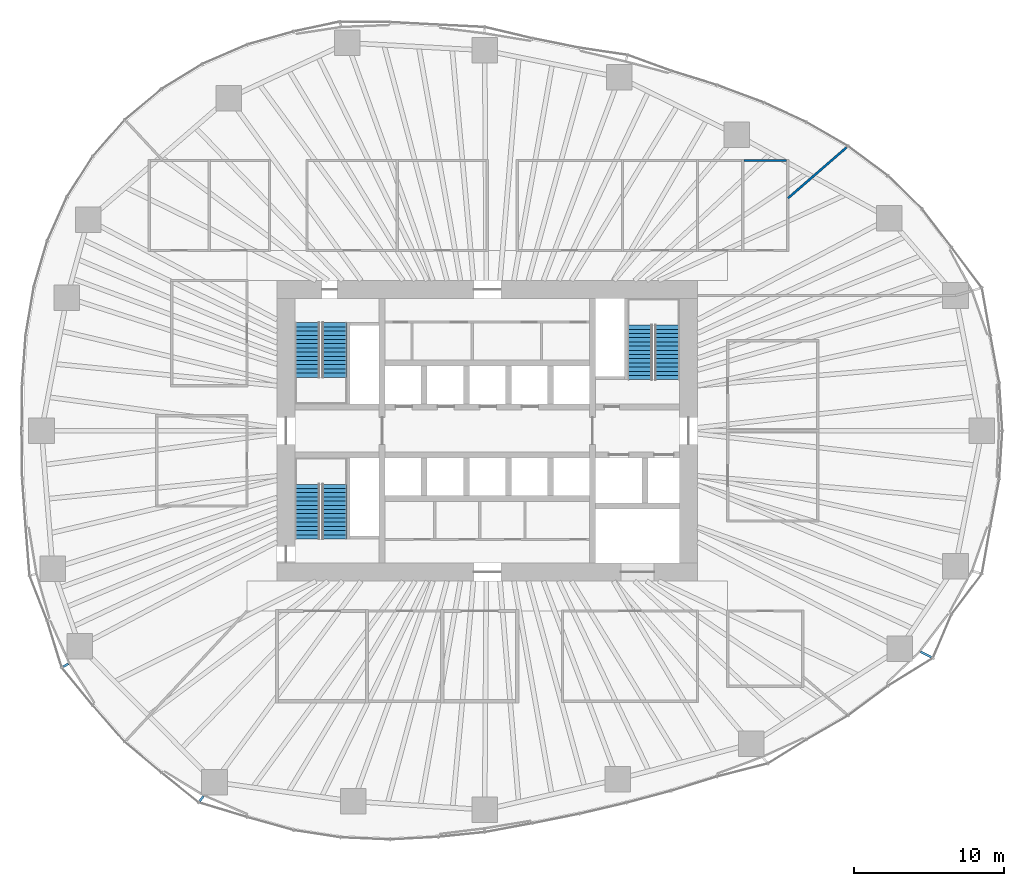
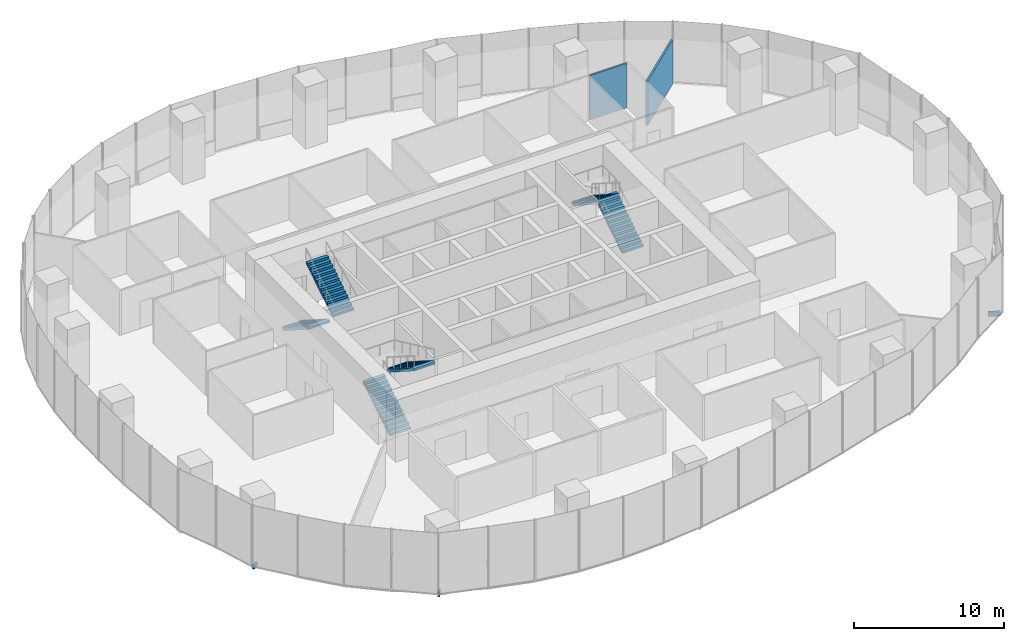
# One storey, part 12 of 19: 6 stair flights, 3 discrete accessories, 2 walls, 3 elements without a shape of their own.
"""IFC4 building model written with IfcOpenShell, lengths in metres."""

from ifc_helpers import new_model, si_unit, direction, frame, frame_2d, origin, origin_2d, place, context, subcontext, project, spatial, polyline, rectangle, outline, extrude, material, layer, layer_set, type_object, element, aggregate, save


model = new_model("IFC4")

# Units and contexts
model_context = context("Model", 3, precision=1e-05, world=origin(), true_north=direction((0.0, 1.0)))
body_context = subcontext(model_context, "Body", "Model", "MODEL_VIEW")
ifc_project = project(units=[si_unit("LENGTHUNIT", "METRE"), si_unit("AREAUNIT", "SQUARE_METRE"), si_unit("VOLUMEUNIT", "CUBIC_METRE"), si_unit("PLANEANGLEUNIT", "RADIAN"), si_unit("MASSUNIT", "GRAM", prefix="KILO")], contexts=[model_context])

# Site, building, storey
site_placement = place(None, origin())
site = spatial("IfcSite", under=ifc_project, at=site_placement, CompositionType="ELEMENT")
building_placement = place(site_placement, origin())
building = spatial("IfcBuilding", under=site, at=building_placement, Name="Ghaith Harvest Tower", CompositionType="ELEMENT")
storey_placement = place(building_placement, frame((0.0, 0.0, 70.0)))
storey = spatial("IfcBuildingStorey", under=building, at=storey_placement, Name="L14", CompositionType="ELEMENT", Elevation=70.0)

# Walls
ifc_material_1 = material(Name="Gypsum board on steel studs", Category="steel")
ifc_layer = layer(ifc_material_1, 0.14990234375)
ifc_layer_set = layer_set([ifc_layer], Name="PARTITION 150")
wall_type = type_object("IfcWallType", Name="PARTITION 150", PredefinedType="PARTITIONING", material=ifc_layer_set)
wall_1_placement = place(storey_placement, frame((17.074951171875, 18.0, 0.0), z_axis=(0.0, 0.0, 1.0), x_axis=(1.0, 0.0, 0.0)))
element("IfcWall", 1, at=wall_1_placement, inside=storey, type_object=wall_type, Name="Partition L14-13", PredefinedType="PARTITIONING", context=body_context, shape_type="SweptSolid", body=[
    extrude(rectangle(XDim=2.85009765625, YDim=0.14990234375, at=frame_2d((1.425048828125, 0.0))), origin(), (0.0, 0.0, 1.0), 3.60009765625),
])
wall_2_placement = place(storey_placement, frame((20.02001953125, 15.48681640625, 0.0), z_axis=(0.0, 0.0, 1.0), x_axis=(0.755443308786, 0.655214016342, 0.0)))
element("IfcWall", 2, at=wall_2_placement, inside=storey, type_object=wall_type, Name="Partition L14 zone division", PredefinedType="PARTITIONING", context=body_context, shape_type="SweptSolid", body=[
    extrude(rectangle(XDim=5.14697265625, YDim=0.14990234375, at=frame_2d((2.573486328125, 0.0))), origin(), (0.0, 0.0, 1.0), 3.60009765625),
])

# Stair, stair flights
ifc_material_2 = material(Name="Concrete C40/50, precast", Category="concrete")
stair_type = type_object("IfcStairType", Name="CORE STAIR 28R", PredefinedType="HALF_TURN_STAIR", material=ifc_material_2)
stair_1_placement = place(storey_placement, origin())
stair_1 = element("IfcStair", 3, at=stair_1_placement, inside=storey, type_object=stair_type, Name="Stair ST1 L14", PredefinedType="HALF_TURN_STAIR")
ifc_material_3 = material(Name="Concrete C40/50, precast", Category="concrete")
stair_flight_type = type_object("IfcStairFlightType", Name="CORE FLIGHT 14R 1600", PredefinedType="STRAIGHT", material=ifc_material_3)
stair_flight_1_placement = place(storey_placement, frame((-12.0, 7.199951171875, 0.0), z_axis=(0.0, 0.0, 1.0), x_axis=(0.0, -1.0, 0.0)))
stair_flight_1 = element("IfcStairFlight", 4, at=stair_flight_1_placement, type_object=stair_flight_type, Name="ST1 flight 1", NumberOfRisers=14, NumberOfTreads=13, PredefinedType="STRAIGHT", RiserHeight=0.178571429, TreadLength=0.28, context=body_context, shape_type="SweptSolid", body=[
    extrude(outline(polyline([(0.0, 0.0), (0.0, 0.178466796875), (0.280029296875, 0.178466796875), (0.280029296875, 0.357177734375), (0.56005859375, 0.357177734375), (0.56005859375, 0.53564453125), (0.840087890625, 0.53564453125), (0.840087890625, 0.71435546875), (1.1201171875, 0.71435546875), (1.1201171875, 0.892822265625), (1.39990234375, 0.892822265625), (1.39990234375, 1.071533203125), (1.679931640625, 1.071533203125), (1.679931640625, 1.25), (1.9599609375, 1.25), (1.9599609375, 1.428466796875), (2.239990234375, 1.428466796875), (2.239990234375, 1.607177734375), (2.52001953125, 1.607177734375), (2.52001953125, 1.78564453125), (2.800048828125, 1.78564453125), (2.800048828125, 1.96435546875), (3.080078125, 1.96435546875), (3.080078125, 2.142822265625), (3.360107421875, 2.142822265625), (3.360107421875, 2.321533203125), (3.639892578125, 2.321533203125), (3.639892578125, 2.5), (3.639892578125, 2.1435546875), (0.27880859375, 0.0), (0.0, 0.0)])), frame((0.0, 0.800048828125, 0.0), z_axis=(0.0, -1.0, 0.0), x_axis=(1.0, 0.0, 0.0)), (0.0, 0.0, 1.0), 1.60009765625),
])
stair_flight_2_placement = place(storey_placement, frame((-10.14990234375, 3.56005859375, 2.5), z_axis=(0.0, 0.0, 1.0), x_axis=(0.0, 1.0, 0.0)))
stair_flight_2 = element("IfcStairFlight", 5, at=stair_flight_2_placement, type_object=stair_flight_type, Name="ST1 flight 2", NumberOfRisers=14, NumberOfTreads=13, PredefinedType="STRAIGHT", RiserHeight=0.178571429, TreadLength=0.28, context=body_context, shape_type="SweptSolid", body=[
    extrude(outline(polyline([(0.0, 0.0), (0.0, 0.178466796875), (0.280029296875, 0.178466796875), (0.280029296875, 0.357177734375), (0.56005859375, 0.357177734375), (0.56005859375, 0.53564453125), (0.840087890625, 0.53564453125), (0.840087890625, 0.71435546875), (1.1201171875, 0.71435546875), (1.1201171875, 0.892822265625), (1.39990234375, 0.892822265625), (1.39990234375, 1.071533203125), (1.679931640625, 1.071533203125), (1.679931640625, 1.25), (1.9599609375, 1.25), (1.9599609375, 1.428466796875), (2.239990234375, 1.428466796875), (2.239990234375, 1.607177734375), (2.52001953125, 1.607177734375), (2.52001953125, 1.78564453125), (2.800048828125, 1.78564453125), (2.800048828125, 1.96435546875), (3.080078125, 1.96435546875), (3.080078125, 2.142822265625), (3.360107421875, 2.142822265625), (3.360107421875, 2.321533203125), (3.639892578125, 2.321533203125), (3.639892578125, 2.5), (3.639892578125, 2.1435546875), (0.27880859375, 0.0), (0.0, 0.0)])), frame((0.0, 0.800048828125, 0.0), z_axis=(0.0, -1.0, 0.0), x_axis=(1.0, 0.0, 0.0)), (0.0, 0.0, 1.0), 1.60009765625),
])
aggregate(stair_1, [stair_flight_1, stair_flight_2])

stair_2_placement = place(storey_placement, origin())
stair_2 = element("IfcStair", 6, at=stair_2_placement, inside=storey, type_object=stair_type, Name="Stair ST3 L14", PredefinedType="HALF_TURN_STAIR")
stair_flight_3_placement = place(storey_placement, frame((-12.0, -7.199951171875, 0.0), z_axis=(0.0, 0.0, 1.0), x_axis=(0.0, 1.0, 0.0)))
stair_flight_3 = element("IfcStairFlight", 7, at=stair_flight_3_placement, type_object=stair_flight_type, Name="ST3 flight 1", NumberOfRisers=14, NumberOfTreads=13, PredefinedType="STRAIGHT", RiserHeight=0.178571429, TreadLength=0.28, context=body_context, shape_type="SweptSolid", body=[
    extrude(outline(polyline([(0.0, 0.0), (0.0, 0.178466796875), (0.280029296875, 0.178466796875), (0.280029296875, 0.357177734375), (0.56005859375, 0.357177734375), (0.56005859375, 0.53564453125), (0.840087890625, 0.53564453125), (0.840087890625, 0.71435546875), (1.1201171875, 0.71435546875), (1.1201171875, 0.892822265625), (1.39990234375, 0.892822265625), (1.39990234375, 1.071533203125), (1.679931640625, 1.071533203125), (1.679931640625, 1.25), (1.9599609375, 1.25), (1.9599609375, 1.428466796875), (2.239990234375, 1.428466796875), (2.239990234375, 1.607177734375), (2.52001953125, 1.607177734375), (2.52001953125, 1.78564453125), (2.800048828125, 1.78564453125), (2.800048828125, 1.96435546875), (3.080078125, 1.96435546875), (3.080078125, 2.142822265625), (3.360107421875, 2.142822265625), (3.360107421875, 2.321533203125), (3.639892578125, 2.321533203125), (3.639892578125, 2.5), (3.639892578125, 2.1435546875), (0.27880859375, 0.0), (0.0, 0.0)])), frame((0.0, 0.800048828125, 0.0), z_axis=(0.0, -1.0, 0.0), x_axis=(1.0, 0.0, 0.0)), (0.0, 0.0, 1.0), 1.60009765625),
])
stair_flight_4_placement = place(storey_placement, frame((-10.14990234375, -3.56005859375, 2.5), z_axis=(0.0, 0.0, 1.0), x_axis=(0.0, -1.0, 0.0)))
stair_flight_4 = element("IfcStairFlight", 8, at=stair_flight_4_placement, type_object=stair_flight_type, Name="ST3 flight 2", NumberOfRisers=14, NumberOfTreads=13, PredefinedType="STRAIGHT", RiserHeight=0.178571429, TreadLength=0.28, context=body_context, shape_type="SweptSolid", body=[
    extrude(outline(polyline([(0.0, 0.0), (0.0, 0.178466796875), (0.280029296875, 0.178466796875), (0.280029296875, 0.357177734375), (0.56005859375, 0.357177734375), (0.56005859375, 0.53564453125), (0.840087890625, 0.53564453125), (0.840087890625, 0.71435546875), (1.1201171875, 0.71435546875), (1.1201171875, 0.892822265625), (1.39990234375, 0.892822265625), (1.39990234375, 1.071533203125), (1.679931640625, 1.071533203125), (1.679931640625, 1.25), (1.9599609375, 1.25), (1.9599609375, 1.428466796875), (2.239990234375, 1.428466796875), (2.239990234375, 1.607177734375), (2.52001953125, 1.607177734375), (2.52001953125, 1.78564453125), (2.800048828125, 1.78564453125), (2.800048828125, 1.96435546875), (3.080078125, 1.96435546875), (3.080078125, 2.142822265625), (3.360107421875, 2.142822265625), (3.360107421875, 2.321533203125), (3.639892578125, 2.321533203125), (3.639892578125, 2.5), (3.639892578125, 2.1435546875), (0.27880859375, 0.0), (0.0, 0.0)])), frame((0.0, 0.800048828125, 0.0), z_axis=(0.0, -1.0, 0.0), x_axis=(1.0, 0.0, 0.0)), (0.0, 0.0, 1.0), 1.60009765625),
])
aggregate(stair_2, [stair_flight_3, stair_flight_4])

stair_3_placement = place(storey_placement, origin())
stair_3 = element("IfcStair", 9, at=stair_3_placement, inside=storey, type_object=stair_type, Name="Stair ST2 L14", PredefinedType="HALF_TURN_STAIR")
stair_flight_5_placement = place(storey_placement, frame((12.0, 3.39990234375, 0.0), z_axis=(0.0, 0.0, 1.0), x_axis=(0.0, 1.0, 0.0)))
stair_flight_5 = element("IfcStairFlight", 10, at=stair_flight_5_placement, type_object=stair_flight_type, Name="ST2 flight 1", NumberOfRisers=14, NumberOfTreads=13, PredefinedType="STRAIGHT", RiserHeight=0.178571429, TreadLength=0.28, context=body_context, shape_type="SweptSolid", body=[
    extrude(outline(polyline([(0.0, 0.0), (0.0, 0.178466796875), (0.280029296875, 0.178466796875), (0.280029296875, 0.357177734375), (0.56005859375, 0.357177734375), (0.56005859375, 0.53564453125), (0.840087890625, 0.53564453125), (0.840087890625, 0.71435546875), (1.1201171875, 0.71435546875), (1.1201171875, 0.892822265625), (1.39990234375, 0.892822265625), (1.39990234375, 1.071533203125), (1.679931640625, 1.071533203125), (1.679931640625, 1.25), (1.9599609375, 1.25), (1.9599609375, 1.428466796875), (2.239990234375, 1.428466796875), (2.239990234375, 1.607177734375), (2.52001953125, 1.607177734375), (2.52001953125, 1.78564453125), (2.800048828125, 1.78564453125), (2.800048828125, 1.96435546875), (3.080078125, 1.96435546875), (3.080078125, 2.142822265625), (3.360107421875, 2.142822265625), (3.360107421875, 2.321533203125), (3.639892578125, 2.321533203125), (3.639892578125, 2.5), (3.639892578125, 2.1435546875), (0.27880859375, 0.0), (0.0, 0.0)])), frame((0.0, 0.800048828125, 0.0), z_axis=(0.0, -1.0, 0.0), x_axis=(1.0, 0.0, 0.0)), (0.0, 0.0, 1.0), 1.60009765625),
])
stair_flight_6_placement = place(storey_placement, frame((10.14990234375, 7.0400390625, 2.5), z_axis=(0.0, 0.0, 1.0), x_axis=(0.0, -1.0, 0.0)))
stair_flight_6 = element("IfcStairFlight", 11, at=stair_flight_6_placement, type_object=stair_flight_type, Name="ST2 flight 2", NumberOfRisers=14, NumberOfTreads=13, PredefinedType="STRAIGHT", RiserHeight=0.178571429, TreadLength=0.28, context=body_context, shape_type="SweptSolid", body=[
    extrude(outline(polyline([(0.0, 0.0), (0.0, 0.178466796875), (0.280029296875, 0.178466796875), (0.280029296875, 0.357177734375), (0.56005859375, 0.357177734375), (0.56005859375, 0.53564453125), (0.840087890625, 0.53564453125), (0.840087890625, 0.71435546875), (1.1201171875, 0.71435546875), (1.1201171875, 0.892822265625), (1.39990234375, 0.892822265625), (1.39990234375, 1.071533203125), (1.679931640625, 1.071533203125), (1.679931640625, 1.25), (1.9599609375, 1.25), (1.9599609375, 1.428466796875), (2.239990234375, 1.428466796875), (2.239990234375, 1.607177734375), (2.52001953125, 1.607177734375), (2.52001953125, 1.78564453125), (2.800048828125, 1.78564453125), (2.800048828125, 1.96435546875), (3.080078125, 1.96435546875), (3.080078125, 2.142822265625), (3.360107421875, 2.142822265625), (3.360107421875, 2.321533203125), (3.639892578125, 2.321533203125), (3.639892578125, 2.5), (3.639892578125, 2.1435546875), (0.27880859375, 0.0), (0.0, 0.0)])), frame((0.0, 0.800048828125, 0.0), z_axis=(0.0, -1.0, 0.0), x_axis=(1.0, 0.0, 0.0)), (0.0, 0.0, 1.0), 1.60009765625),
])
aggregate(stair_3, [stair_flight_5, stair_flight_6])

# Discrete accessories
ifc_material_4 = material(Name="Stainless steel grade 1.4401", Category="steel")
discrete_accessory_type_1 = type_object("IfcDiscreteAccessoryType", Name="CURTAIN WALL BRACKET 415", PredefinedType="BRACKET", material=ifc_material_4)
discrete_accessory_1_placement = place(storey_placement, frame((-28.05859375, -15.60546875, -0.25), z_axis=(0.0, 0.0, 1.0), x_axis=(-0.873926916099, -0.486057347767, 0.0)))
element("IfcDiscreteAccessory", 12, at=discrete_accessory_1_placement, inside=storey, type_object=discrete_accessory_type_1, Name="CW-F bracket 3 bay 12 L14", PredefinedType="BRACKET", context=body_context, shape_type="SweptSolid", body=[
    extrude(rectangle(XDim=0.4150390625, YDim=0.14990234375, at=origin_2d()), origin(), (0.0, 0.0, 1.0), 0.35009765625),
])
ifc_material_5 = material(Name="Stainless steel grade 1.4401", Category="steel")
discrete_accessory_type_2 = type_object("IfcDiscreteAccessoryType", Name="CURTAIN WALL BRACKET 425", PredefinedType="BRACKET", material=ifc_material_5)
discrete_accessory_2_placement = place(storey_placement, frame((-19.02099609375, -24.491455078125, -0.25), z_axis=(0.0, 0.0, 1.0), x_axis=(-0.613377713774, -0.789789706343, 0.0)))
element("IfcDiscreteAccessory", 13, at=discrete_accessory_2_placement, inside=storey, type_object=discrete_accessory_type_2, Name="CW-F bracket 1 bay 14 L14", PredefinedType="BRACKET", context=body_context, shape_type="SweptSolid", body=[
    extrude(rectangle(XDim=0.425048828125, YDim=0.14990234375, at=origin_2d()), origin(), (0.0, 0.0, 1.0), 0.35009765625),
])
ifc_material_6 = material(Name="Stainless steel grade 1.4401", Category="steel")
discrete_accessory_type_3 = type_object("IfcDiscreteAccessoryType", Name="CURTAIN WALL BRACKET 825", PredefinedType="BRACKET", material=ifc_material_6)
discrete_accessory_3_placement = place(storey_placement, frame((29.203125, -14.89404296875, -0.25), z_axis=(0.0, 0.0, 1.0), x_axis=(0.890830752177, -0.454335306767, 0.0)))
element("IfcDiscreteAccessory", 14, at=discrete_accessory_3_placement, inside=storey, type_object=discrete_accessory_type_3, Name="CW-F bracket 2 bay 19 L14", PredefinedType="BRACKET", context=body_context, shape_type="SweptSolid", body=[
    extrude(rectangle(XDim=0.824951171875, YDim=0.14990234375, at=origin_2d()), origin(), (0.0, 0.0, 1.0), 0.35009765625),
])

save(model, "model.ifc")
